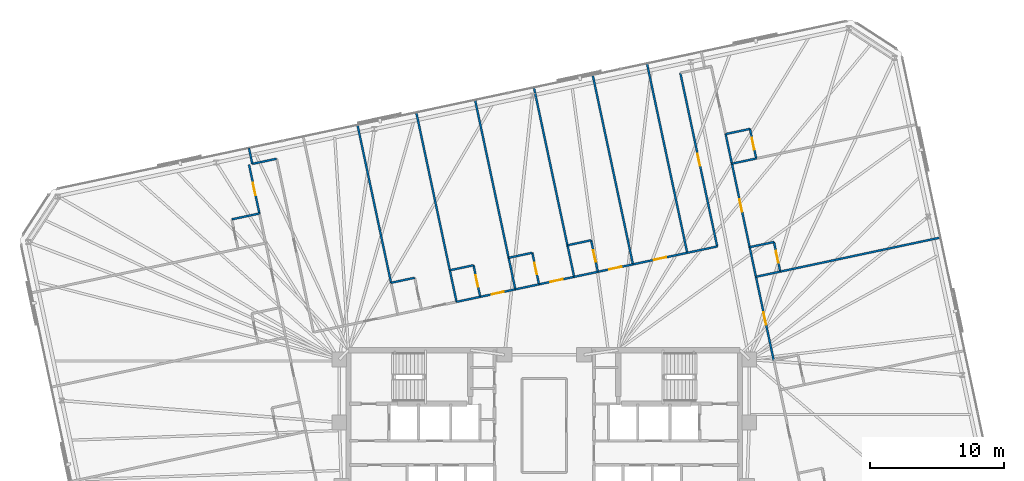
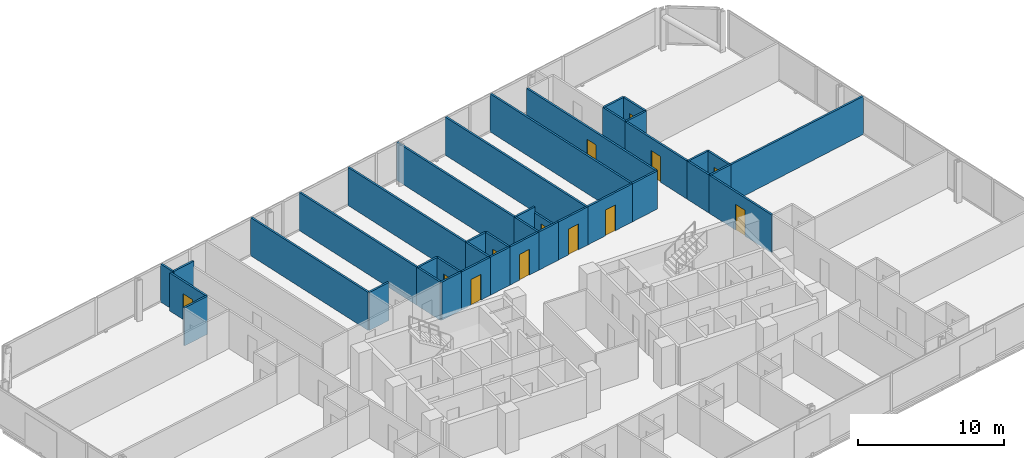
# One storey, part 18 of 21: 40 walls, 13 doors, 13 openings.
"""IFC4 building model written with IfcOpenShell, lengths in metres."""

from ifc_helpers import new_model, si_unit, direction, frame, frame_2d, origin, place, context, subcontext, project, spatial, rectangle, extrude, material, layer, layer_set, type_object, element, fill, save


model = new_model("IFC4")

# Units and contexts
model_context = context("Model", 3, precision=1e-05, world=origin(), true_north=direction((0.0, 1.0)))
body_context = subcontext(model_context, "Body", "Model", "MODEL_VIEW")
ifc_project = project(units=[si_unit("LENGTHUNIT", "METRE"), si_unit("AREAUNIT", "SQUARE_METRE"), si_unit("VOLUMEUNIT", "CUBIC_METRE"), si_unit("PLANEANGLEUNIT", "RADIAN"), si_unit("MASSUNIT", "GRAM", prefix="KILO")], contexts=[model_context])

# Site, building, storey
site_placement = place(None, origin())
site = spatial("IfcSite", under=ifc_project, at=site_placement, CompositionType="ELEMENT")
building_placement = place(site_placement, origin())
building = spatial("IfcBuilding", under=site, at=building_placement, Name="Menara Jurai Vektor", CompositionType="ELEMENT")
storey_placement = place(building_placement, frame((0.0, 0.0, 165.0)))
storey = spatial("IfcBuildingStorey", under=building, at=storey_placement, Name="L42", CompositionType="ELEMENT", Elevation=165.0)

# Wall
ifc_material_1 = material(Name="Gypsum Fireboard Partition", Category="gypsum")
ifc_layer_1 = layer(ifc_material_1, 0.14990234375)
ifc_layer_set_1 = layer_set([ifc_layer_1], Name="Gypsum Fireboard Partition")
wall_type_1 = type_object("IfcWallType", Name="INT-WALL-CORR-150", PredefinedType="PARTITIONING", material=ifc_layer_set_1)
wall_1_placement = place(storey_placement, frame((-21.71533203125, 19.447998046875, 0.0), z_axis=(0.0, 0.0, 1.0), x_axis=(0.978160192495, 0.207852442415, 0.0)))
element("IfcWall", 1, at=wall_1_placement, inside=storey, type_object=wall_type_1, Name="Interior Wall IW-150 L42", PredefinedType="PARTITIONING", context=body_context, shape_type="SweptSolid", body=[
    extrude(rectangle(XDim=1.849853515625, YDim=0.14990234375, at=frame_2d((0.9248046875, 0.0))), origin(), (0.0, 0.0, 1.0), 3.175048828125),
])

# Wall, opening, door
wall_2_placement = place(storey_placement, frame((-4.763427734375, 9.561279296875, 0.0), z_axis=(0.0, 0.0, 1.0), x_axis=(0.978139565144, 0.207949491702, 0.0)))
wall_2 = element("IfcWall", 2, at=wall_2_placement, inside=storey, type_object=wall_type_1, Name="Interior Wall IW-150 L42", PredefinedType="PARTITIONING", context=body_context, shape_type="SweptSolid", body=[
    extrude(rectangle(XDim=2.6708984375, YDim=0.14990234375, at=frame_2d((1.33544921875, 0.0))), origin(), (0.0, 0.0, 1.0), 3.175048828125),
])
opening_1_placement = place(wall_2_placement, frame((0.87548828125, 0.0, 0.0)))
opening_1 = element("IfcOpeningElement", 3, at=opening_1_placement, cuts=wall_2, Name="Opening D42-13", PredefinedType="OPENING", context=body_context, shape_type="SweptSolid", body=[
    extrude(rectangle(XDim=0.919921875, YDim=2.14990234375, at=frame_2d((0.4599609375, 1.074951171875))), frame((0.0, 0.0849609375, 0.0), z_axis=(0.0, -1.0, 0.0), x_axis=(1.0, 0.0, 0.0)), (0.0, 0.0, 1.0), 0.169921875),
])
ifc_material_2 = material(Name="Solid Core Timber Fire Door", Category="wood")
door_type_1 = type_object("IfcDoorType", Name="DR-ENTRY-950", OperationType="NOTDEFINED", PredefinedType="DOOR", material=ifc_material_2)
door_1_placement = place(opening_1_placement, origin())
door_1 = element("IfcDoor", 4, at=door_1_placement, inside=storey, type_object=door_type_1, Name="Interior Door D42-13", OperationType="SINGLE_SWING_RIGHT", OverallHeight=2.14990234375, OverallWidth=0.919921875, PredefinedType="DOOR", context=body_context, shape_type="SweptSolid", body=[
    extrude(rectangle(XDim=0.919921875, YDim=2.14990234375, at=frame_2d((0.4599609375, 1.074951171875))), frame((0.0, 0.02490234375, 0.0), z_axis=(0.0, -1.0, 0.0), x_axis=(1.0, 0.0, 0.0)), (0.0, 0.0, 1.0), 0.050048828125),
])
fill(opening_1, door_1)

# Wall
wall_3_placement = place(storey_placement, frame((-6.524169921875, 9.18701171875, 0.0), z_axis=(0.0, 0.0, 1.0), x_axis=(0.978146440129, 0.207917150959, 0.0)))
element("IfcWall", 5, at=wall_3_placement, inside=storey, type_object=wall_type_1, Name="Interior Wall IW-150 L42", PredefinedType="PARTITIONING", context=body_context, shape_type="SweptSolid", body=[
    extrude(rectangle(XDim=1.800048828125, YDim=0.14990234375, at=frame_2d((0.89990234375, 0.0))), origin(), (0.0, 0.0, 1.0), 3.175048828125),
])

# Wall, opening, door
wall_4_placement = place(storey_placement, frame((-0.39013671875, 10.490966796875, 0.0), z_axis=(0.0, 0.0, 1.0), x_axis=(0.978155367406, 0.207875148141, 0.0)))
wall_4 = element("IfcWall", 6, at=wall_4_placement, inside=storey, type_object=wall_type_1, Name="Interior Wall IW-150 L42", PredefinedType="PARTITIONING", context=body_context, shape_type="SweptSolid", body=[
    extrude(rectangle(XDim=2.671875, YDim=0.14990234375, at=frame_2d((1.3359375, 0.0))), origin(), (0.0, 0.0, 1.0), 3.175048828125),
])
opening_2_placement = place(wall_4_placement, frame((0.8759765625, 0.0, 0.0)))
opening_2 = element("IfcOpeningElement", 7, at=opening_2_placement, cuts=wall_4, Name="Opening D42-15", PredefinedType="OPENING", context=body_context, shape_type="SweptSolid", body=[
    extrude(rectangle(XDim=0.919921875, YDim=2.14990234375, at=frame_2d((0.4599609375, 1.074951171875))), frame((0.0, 0.0849609375, 0.0), z_axis=(0.0, -1.0, 0.0), x_axis=(1.0, 0.0, 0.0)), (0.0, 0.0, 1.0), 0.169921875),
])
door_2_placement = place(opening_2_placement, origin())
door_2 = element("IfcDoor", 8, at=door_2_placement, inside=storey, type_object=door_type_1, Name="Interior Door D42-15", OperationType="SINGLE_SWING_RIGHT", OverallHeight=2.14990234375, OverallWidth=0.919921875, PredefinedType="DOOR", context=body_context, shape_type="SweptSolid", body=[
    extrude(rectangle(XDim=0.919921875, YDim=2.14990234375, at=frame_2d((0.4599609375, 1.074951171875))), frame((0.0, 0.02490234375, 0.0), z_axis=(0.0, -1.0, 0.0), x_axis=(1.0, 0.0, 0.0)), (0.0, 0.0, 1.0), 0.050048828125),
])
fill(opening_2, door_2)

# Wall
wall_5_placement = place(storey_placement, frame((-2.15087890625, 10.11669921875, 0.0), z_axis=(0.0, 0.0, 1.0), x_axis=(0.978146440129, 0.207917150959, 0.0)))
element("IfcWall", 9, at=wall_5_placement, inside=storey, type_object=wall_type_1, Name="Interior Wall IW-150 L42", PredefinedType="PARTITIONING", context=body_context, shape_type="SweptSolid", body=[
    extrude(rectangle(XDim=1.800048828125, YDim=0.14990234375, at=frame_2d((0.89990234375, 0.0))), origin(), (0.0, 0.0, 1.0), 3.175048828125),
])

# Wall, opening, door
wall_6_placement = place(storey_placement, frame((3.984130859375, 11.420654296875, 0.0), z_axis=(0.0, 0.0, 1.0), x_axis=(0.978139565144, 0.207949491702, 0.0)))
wall_6 = element("IfcWall", 10, at=wall_6_placement, inside=storey, type_object=wall_type_1, Name="Interior Wall IW-150 L42", PredefinedType="PARTITIONING", context=body_context, shape_type="SweptSolid", body=[
    extrude(rectangle(XDim=2.6708984375, YDim=0.14990234375, at=frame_2d((1.33544921875, 0.0))), origin(), (0.0, 0.0, 1.0), 3.175048828125),
])
opening_3_placement = place(wall_6_placement, frame((0.87548828125, 0.0, 0.0)))
opening_3 = element("IfcOpeningElement", 11, at=opening_3_placement, cuts=wall_6, Name="Opening D42-17", PredefinedType="OPENING", context=body_context, shape_type="SweptSolid", body=[
    extrude(rectangle(XDim=0.919921875, YDim=2.14990234375, at=frame_2d((0.4599609375, 1.074951171875))), frame((0.0, 0.0849609375, 0.0), z_axis=(0.0, -1.0, 0.0), x_axis=(1.0, 0.0, 0.0)), (0.0, 0.0, 1.0), 0.169921875),
])
door_3_placement = place(opening_3_placement, origin())
door_3 = element("IfcDoor", 12, at=door_3_placement, inside=storey, type_object=door_type_1, Name="Interior Door D42-17", OperationType="SINGLE_SWING_RIGHT", OverallHeight=2.14990234375, OverallWidth=0.919921875, PredefinedType="DOOR", context=body_context, shape_type="SweptSolid", body=[
    extrude(rectangle(XDim=0.919921875, YDim=2.14990234375, at=frame_2d((0.4599609375, 1.074951171875))), frame((0.0, 0.02490234375, 0.0), z_axis=(0.0, -1.0, 0.0), x_axis=(1.0, 0.0, 0.0)), (0.0, 0.0, 1.0), 0.050048828125),
])
fill(opening_3, door_3)

# Wall
wall_7_placement = place(storey_placement, frame((2.223388671875, 11.04638671875, 0.0), z_axis=(0.0, 0.0, 1.0), x_axis=(0.978146440129, 0.207917150959, 0.0)))
element("IfcWall", 13, at=wall_7_placement, inside=storey, type_object=wall_type_1, Name="Interior Wall IW-150 L42", PredefinedType="PARTITIONING", context=body_context, shape_type="SweptSolid", body=[
    extrude(rectangle(XDim=1.800048828125, YDim=0.14990234375, at=frame_2d((0.89990234375, 0.0))), origin(), (0.0, 0.0, 1.0), 3.175048828125),
])

# Wall, opening, door
wall_8_placement = place(storey_placement, frame((6.5966796875, 11.97607421875, 0.0), z_axis=(0.0, 0.0, 1.0), x_axis=(0.978155092113, 0.207876443525, 0.0)))
wall_8 = element("IfcWall", 14, at=wall_8_placement, inside=storey, type_object=wall_type_1, Name="Interior Wall IW-150 L42", PredefinedType="PARTITIONING", context=body_context, shape_type="SweptSolid", body=[
    extrude(rectangle(XDim=4.126953125, YDim=0.14990234375, at=frame_2d((2.0634765625, 0.0))), origin(), (0.0, 0.0, 1.0), 3.175048828125),
])
opening_4_placement = place(wall_8_placement, frame((1.603515625, 0.0, 0.0)))
opening_4 = element("IfcOpeningElement", 15, at=opening_4_placement, cuts=wall_8, Name="Opening D42-19", PredefinedType="OPENING", context=body_context, shape_type="SweptSolid", body=[
    extrude(rectangle(XDim=0.919921875, YDim=2.14990234375, at=frame_2d((0.4599609375, 1.074951171875))), frame((0.0, 0.0849609375, 0.0), z_axis=(0.0, -1.0, 0.0), x_axis=(1.0, 0.0, 0.0)), (0.0, 0.0, 1.0), 0.169921875),
])
door_4_placement = place(opening_4_placement, origin())
door_4 = element("IfcDoor", 16, at=door_4_placement, inside=storey, type_object=door_type_1, Name="Interior Door D42-19", OperationType="SINGLE_SWING_RIGHT", OverallHeight=2.14990234375, OverallWidth=0.919921875, PredefinedType="DOOR", context=body_context, shape_type="SweptSolid", body=[
    extrude(rectangle(XDim=0.919921875, YDim=2.14990234375, at=frame_2d((0.4599609375, 1.074951171875))), frame((0.0, 0.02490234375, 0.0), z_axis=(0.0, -1.0, 0.0), x_axis=(1.0, 0.0, 0.0)), (0.0, 0.0, 1.0), 0.050048828125),
])
fill(opening_4, door_4)

# Wall
wall_9_placement = place(storey_placement, frame((10.633544921875, 12.833984375, 0.0), z_axis=(0.0, 0.0, 1.0), x_axis=(0.978147682212, 0.207911307493, 0.0)))
element("IfcWall", 17, at=wall_9_placement, inside=storey, type_object=wall_type_1, Name="Interior Wall IW-150 L42", PredefinedType="PARTITIONING", context=body_context, shape_type="SweptSolid", body=[
    extrude(rectangle(XDim=2.278076171875, YDim=0.14990234375, at=frame_2d((1.13916015625, 0.0))), origin(), (0.0, 0.0, 1.0), 3.175048828125),
])

# Wall, opening, door
wall_10_placement = place(storey_placement, frame((12.86181640625, 13.3076171875, 0.0), z_axis=(0.0, 0.0, 1.0), x_axis=(-0.207911421929, 0.978147657888, 0.0)))
wall_10 = element("IfcWall", 18, at=wall_10_placement, inside=storey, type_object=wall_type_1, Name="Interior Wall IW-150 L42", PredefinedType="PARTITIONING", context=body_context, shape_type="SweptSolid", body=[
    extrude(rectangle(XDim=13.195068359375, YDim=0.14990234375, at=frame_2d((6.59765625, 0.0))), origin(), (0.0, 0.0, 1.0), 3.175048828125),
])
opening_5_placement = place(wall_10_placement, frame((6.137451171875, 0.0, 0.0)))
opening_5 = element("IfcOpeningElement", 19, at=opening_5_placement, cuts=wall_10, Name="Opening D42-20", PredefinedType="OPENING", context=body_context, shape_type="SweptSolid", body=[
    extrude(rectangle(XDim=0.919921875, YDim=2.14990234375, at=frame_2d((0.4599609375, 1.074951171875))), frame((0.0, 0.0849609375, 0.0), z_axis=(0.0, -1.0, 0.0), x_axis=(1.0, 0.0, 0.0)), (0.0, 0.0, 1.0), 0.169921875),
])
door_5_placement = place(opening_5_placement, origin())
door_5 = element("IfcDoor", 20, at=door_5_placement, inside=storey, type_object=door_type_1, Name="Interior Door D42-20", OperationType="SINGLE_SWING_LEFT", OverallHeight=2.14990234375, OverallWidth=0.919921875, PredefinedType="DOOR", context=body_context, shape_type="SweptSolid", body=[
    extrude(rectangle(XDim=0.919921875, YDim=2.14990234375, at=frame_2d((0.4599609375, 1.074951171875))), frame((0.0, 0.02490234375, 0.0), z_axis=(0.0, -1.0, 0.0), x_axis=(1.0, 0.0, 0.0)), (0.0, 0.0, 1.0), 0.050048828125),
])
fill(opening_5, door_5)

wall_11_placement = place(storey_placement, frame((-21.18701171875, 15.76025390625, 0.0), z_axis=(0.0, 0.0, 1.0), x_axis=(-0.207949879289, 0.978139482745, 0.0)))
wall_11 = element("IfcWall", 21, at=wall_11_placement, inside=storey, type_object=wall_type_1, Name="Interior Wall IW-150 L42", PredefinedType="PARTITIONING", context=body_context, shape_type="SweptSolid", body=[
    extrude(rectangle(XDim=3.717041015625, YDim=0.14990234375, at=frame_2d((1.8583984375, 0.0))), origin(), (0.0, 0.0, 1.0), 3.175048828125),
])
opening_6_placement = place(wall_11_placement, frame((1.383544921875, 0.0, 0.0)))
opening_6 = element("IfcOpeningElement", 22, at=opening_6_placement, cuts=wall_11, Name="Opening D42-42", PredefinedType="OPENING", context=body_context, shape_type="SweptSolid", body=[
    extrude(rectangle(XDim=0.949951171875, YDim=2.14990234375, at=frame_2d((0.47509765625, 1.074951171875))), frame((0.0, 0.0849609375, 0.0), z_axis=(0.0, -1.0, 0.0), x_axis=(1.0, 0.0, 0.0)), (0.0, 0.0, 1.0), 0.169921875),
])
door_6_placement = place(opening_6_placement, origin())
door_6 = element("IfcDoor", 23, at=door_6_placement, inside=storey, type_object=door_type_1, Name="Interior Door D42-42", OperationType="SINGLE_SWING_LEFT", OverallHeight=2.14990234375, OverallWidth=0.949951171875, PredefinedType="DOOR", context=body_context, shape_type="SweptSolid", body=[
    extrude(rectangle(XDim=0.949951171875, YDim=2.14990234375, at=frame_2d((0.47509765625, 1.074951171875))), frame((0.0, 0.02490234375, 0.0), z_axis=(0.0, -1.0, 0.0), x_axis=(1.0, 0.0, 0.0)), (0.0, 0.0, 1.0), 0.050048828125),
])
fill(opening_6, door_6)

wall_12_placement = place(storey_placement, frame((17.06396484375, 4.84130859375, 0.0), z_axis=(0.0, 0.0, 1.0), x_axis=(-0.207924511115, 0.978144875608, 0.0)))
wall_12 = element("IfcWall", 24, at=wall_12_placement, inside=storey, type_object=wall_type_1, Name="Interior Wall IW-150 L42", PredefinedType="PARTITIONING", context=body_context, shape_type="SweptSolid", body=[
    extrude(rectangle(XDim=6.349853515625, YDim=0.14990234375, at=frame_2d((3.1748046875, 0.0))), origin(), (0.0, 0.0, 1.0), 3.175048828125),
])
opening_7_placement = place(wall_12_placement, frame((2.699951171875, 0.0, 0.0)))
opening_7 = element("IfcOpeningElement", 25, at=opening_7_placement, cuts=wall_12, Name="Opening D42-48", PredefinedType="OPENING", context=body_context, shape_type="SweptSolid", body=[
    extrude(rectangle(XDim=0.949951171875, YDim=2.14990234375, at=frame_2d((0.47509765625, 1.074951171875))), frame((0.0, 0.0849609375, 0.0), z_axis=(0.0, -1.0, 0.0), x_axis=(1.0, 0.0, 0.0)), (0.0, 0.0, 1.0), 0.169921875),
])
door_7_placement = place(opening_7_placement, origin())
door_7 = element("IfcDoor", 26, at=door_7_placement, inside=storey, type_object=door_type_1, Name="Interior Door D42-48", OperationType="SINGLE_SWING_LEFT", OverallHeight=2.14990234375, OverallWidth=0.949951171875, PredefinedType="DOOR", context=body_context, shape_type="SweptSolid", body=[
    extrude(rectangle(XDim=0.949951171875, YDim=2.14990234375, at=frame_2d((0.47509765625, 1.074951171875))), frame((0.0, 0.02490234375, 0.0), z_axis=(0.0, -1.0, 0.0), x_axis=(1.0, 0.0, 0.0)), (0.0, 0.0, 1.0), 0.050048828125),
])
fill(opening_7, door_7)

wall_13_placement = place(storey_placement, frame((15.27587890625, 13.25341796875, 0.0), z_axis=(0.0, 0.0, 1.0), x_axis=(-0.207924511115, 0.978144875608, 0.0)))
wall_13 = element("IfcWall", 27, at=wall_13_placement, inside=storey, type_object=wall_type_1, Name="Interior Wall IW-150 L42", PredefinedType="PARTITIONING", context=body_context, shape_type="SweptSolid", body=[
    extrude(rectangle(XDim=6.349853515625, YDim=0.14990234375, at=frame_2d((3.1748046875, 0.0))), origin(), (0.0, 0.0, 1.0), 3.175048828125),
])
opening_8_placement = place(wall_13_placement, frame((2.699951171875, 0.0, 0.0)))
opening_8 = element("IfcOpeningElement", 28, at=opening_8_placement, cuts=wall_13, Name="Opening D42-50", PredefinedType="OPENING", context=body_context, shape_type="SweptSolid", body=[
    extrude(rectangle(XDim=0.949951171875, YDim=2.14990234375, at=frame_2d((0.47509765625, 1.074951171875))), frame((0.0, 0.0849609375, 0.0), z_axis=(0.0, -1.0, 0.0), x_axis=(1.0, 0.0, 0.0)), (0.0, 0.0, 1.0), 0.169921875),
])
door_8_placement = place(opening_8_placement, origin())
door_8 = element("IfcDoor", 29, at=door_8_placement, inside=storey, type_object=door_type_1, Name="Interior Door D42-50", OperationType="SINGLE_SWING_LEFT", OverallHeight=2.14990234375, OverallWidth=0.949951171875, PredefinedType="DOOR", context=body_context, shape_type="SweptSolid", body=[
    extrude(rectangle(XDim=0.949951171875, YDim=2.14990234375, at=frame_2d((0.47509765625, 1.074951171875))), frame((0.0, 0.02490234375, 0.0), z_axis=(0.0, -1.0, 0.0), x_axis=(1.0, 0.0, 0.0)), (0.0, 0.0, 1.0), 0.050048828125),
])
fill(opening_8, door_8)

# Walls
for number, where, z_axis, x_axis, name in (
    (30, (15.74365234375, 11.052490234375, 0.0), (0.0, 0.0, 1.0), (-0.207891197838, 0.978151956427, 0.0), "Interior Wall IW-150 L42"),
    (31, (13.95556640625, 19.464599609375, 0.0), (0.0, 0.0, 1.0), (-0.207891197838, 0.978151956427, 0.0), "Interior Wall IW-150 L42"),
):
    element("IfcWall", number, at=place(storey_placement, frame(where, z_axis=z_axis, x_axis=x_axis)), inside=storey, type_object=wall_type_1, Name=name, PredefinedType="PARTITIONING", context=body_context, shape_type="SweptSolid", body=[
        extrude(rectangle(XDim=2.25, YDim=0.14990234375, at=frame_2d((1.125, 0.0))), origin(), (0.0, 0.0, 1.0), 3.175048828125),
    ])
wall_14_placement = place(storey_placement, frame((-21.71533203125, 19.447998046875, 0.0), z_axis=(0.0, 0.0, 1.0), x_axis=(-0.20795853359, 0.978137642823, 0.0)))
element("IfcWall", 32, at=wall_14_placement, inside=storey, type_object=wall_type_1, Name="Interior Wall IW-150 L42", PredefinedType="PARTITIONING", context=body_context, shape_type="SweptSolid", body=[
    extrude(rectangle(XDim=1.19970703125, YDim=0.14990234375, at=frame_2d((0.599853515625, 0.0))), origin(), (0.0, 0.0, 1.0), 3.175048828125),
])
wall_15_placement = place(storey_placement, frame((-11.396484375, 10.60498046875, 0.0), z_axis=(0.0, 0.0, 1.0), x_axis=(-0.207910848762, 0.978147779718, 0.0)))
element("IfcWall", 33, at=wall_15_placement, inside=storey, type_object=wall_type_1, Name="Interior Wall IW-150 L42", PredefinedType="PARTITIONING", context=body_context, shape_type="SweptSolid", body=[
    extrude(rectangle(XDim=11.9951171875, YDim=0.14990234375, at=frame_2d((5.99755859375, 0.0))), origin(), (0.0, 0.0, 1.0), 3.175048828125),
])
wall_16_placement = place(storey_placement, frame((-11.396484375, 10.60498046875, 0.0), z_axis=(0.0, 0.0, 1.0), x_axis=(0.978118849246, 0.208046909975, 0.0)))
element("IfcWall", 34, at=wall_16_placement, inside=storey, type_object=wall_type_1, Name="Interior Wall IW-150 L42", PredefinedType="PARTITIONING", context=body_context, shape_type="SweptSolid", body=[
    extrude(rectangle(XDim=1.800048828125, YDim=0.14990234375, at=frame_2d((0.89990234375, 0.0))), origin(), (0.0, 0.0, 1.0), 3.175048828125),
])
wall_17_placement = place(storey_placement, frame((-7.023193359375, 11.53466796875, 0.0), z_axis=(0.0, 0.0, 1.0), x_axis=(-0.207910848762, 0.978147779718, 0.0)))
element("IfcWall", 35, at=wall_17_placement, inside=storey, type_object=wall_type_1, Name="Interior Wall IW-150 L42", PredefinedType="PARTITIONING", context=body_context, shape_type="SweptSolid", body=[
    extrude(rectangle(XDim=11.9951171875, YDim=0.14990234375, at=frame_2d((5.99755859375, 0.0))), origin(), (0.0, 0.0, 1.0), 3.175048828125),
])
wall_18_placement = place(storey_placement, frame((-6.524169921875, 9.18701171875, 0.0), z_axis=(0.0, 0.0, 1.0), x_axis=(-0.207917150959, 0.978146440129, 0.0)))
element("IfcWall", 36, at=wall_18_placement, inside=storey, type_object=wall_type_1, Name="Interior Wall IW-150 L42", PredefinedType="PARTITIONING", context=body_context, shape_type="SweptSolid", body=[
    extrude(rectangle(XDim=2.400146484375, YDim=0.14990234375, at=frame_2d((1.2001953125, 0.0))), origin(), (0.0, 0.0, 1.0), 3.175048828125),
])
wall_19_placement = place(storey_placement, frame((-7.023193359375, 11.53466796875, 0.0), z_axis=(0.0, 0.0, 1.0), x_axis=(0.978146440129, 0.207917150959, 0.0)))
element("IfcWall", 37, at=wall_19_placement, inside=storey, type_object=wall_type_1, Name="Interior Wall IW-150 L42", PredefinedType="PARTITIONING", context=body_context, shape_type="SweptSolid", body=[
    extrude(rectangle(XDim=1.800048828125, YDim=0.14990234375, at=frame_2d((0.89990234375, 0.0))), origin(), (0.0, 0.0, 1.0), 3.175048828125),
])

# Wall, opening, door
wall_20_placement = place(storey_placement, frame((-4.763427734375, 9.561279296875, 0.0), z_axis=(0.0, 0.0, 1.0), x_axis=(-0.207917150959, 0.978146440129, 0.0)))
wall_20 = element("IfcWall", 38, at=wall_20_placement, inside=storey, type_object=wall_type_1, Name="Interior Wall IW-150 L42", PredefinedType="PARTITIONING", context=body_context, shape_type="SweptSolid", body=[
    extrude(rectangle(XDim=2.400146484375, YDim=0.14990234375, at=frame_2d((1.2001953125, 0.0))), origin(), (0.0, 0.0, 1.0), 3.175048828125),
])
opening_9_placement = place(wall_20_placement, frame((0.760009765625, 0.0, 0.0)))
opening_9 = element("IfcOpeningElement", 39, at=opening_9_placement, cuts=wall_20, Name="Opening D42-14", PredefinedType="OPENING", context=body_context, shape_type="SweptSolid", body=[
    extrude(rectangle(XDim=0.8798828125, YDim=2.14990234375, at=frame_2d((0.43994140625, 1.074951171875))), frame((0.0, 0.0849609375, 0.0), z_axis=(0.0, -1.0, 0.0), x_axis=(1.0, 0.0, 0.0)), (0.0, 0.0, 1.0), 0.169921875),
])
ifc_material_3 = material(Name="Moisture-Resistant Timber Door", Category="wood")
door_type_2 = type_object("IfcDoorType", Name="DR-BATH-880", OperationType="NOTDEFINED", PredefinedType="DOOR", material=ifc_material_3)
door_9_placement = place(opening_9_placement, origin())
door_9 = element("IfcDoor", 40, at=door_9_placement, inside=storey, type_object=door_type_2, Name="Interior Door D42-14", OperationType="SINGLE_SWING_LEFT", OverallHeight=2.14990234375, OverallWidth=0.8798828125, PredefinedType="DOOR", context=body_context, shape_type="SweptSolid", body=[
    extrude(rectangle(XDim=0.8798828125, YDim=2.14990234375, at=frame_2d((0.43994140625, 1.074951171875))), frame((0.0, 0.02490234375, 0.0), z_axis=(0.0, -1.0, 0.0), x_axis=(1.0, 0.0, 0.0)), (0.0, 0.0, 1.0), 0.050048828125),
])
fill(opening_9, door_9)

# Walls
wall_21_placement = place(storey_placement, frame((-2.64990234375, 12.46435546875, 0.0), z_axis=(0.0, 0.0, 1.0), x_axis=(-0.207914988081, 0.978146899873, 0.0)))
element("IfcWall", 41, at=wall_21_placement, inside=storey, type_object=wall_type_1, Name="Interior Wall IW-150 L42", PredefinedType="PARTITIONING", context=body_context, shape_type="SweptSolid", body=[
    extrude(rectangle(XDim=11.994873046875, YDim=0.14990234375, at=frame_2d((5.99755859375, 0.0))), origin(), (0.0, 0.0, 1.0), 3.175048828125),
])
wall_22_placement = place(storey_placement, frame((-2.15087890625, 10.11669921875, 0.0), z_axis=(0.0, 0.0, 1.0), x_axis=(-0.207917150959, 0.978146440129, 0.0)))
element("IfcWall", 42, at=wall_22_placement, inside=storey, type_object=wall_type_1, Name="Interior Wall IW-150 L42", PredefinedType="PARTITIONING", context=body_context, shape_type="SweptSolid", body=[
    extrude(rectangle(XDim=2.400146484375, YDim=0.14990234375, at=frame_2d((1.2001953125, 0.0))), origin(), (0.0, 0.0, 1.0), 3.175048828125),
])
wall_23_placement = place(storey_placement, frame((-2.64990234375, 12.46435546875, 0.0), z_axis=(0.0, 0.0, 1.0), x_axis=(0.978174015353, 0.207787380965, 0.0)))
element("IfcWall", 43, at=wall_23_placement, inside=storey, type_object=wall_type_1, Name="Interior Wall IW-150 L42", PredefinedType="PARTITIONING", context=body_context, shape_type="SweptSolid", body=[
    extrude(rectangle(XDim=1.800048828125, YDim=0.14990234375, at=frame_2d((0.89990234375, 0.0))), origin(), (0.0, 0.0, 1.0), 3.175048828125),
])

# Wall, opening, door
wall_24_placement = place(storey_placement, frame((-0.39013671875, 10.490966796875, 0.0), z_axis=(0.0, 0.0, 1.0), x_axis=(-0.207937840262, 0.978142042133, 0.0)))
wall_24 = element("IfcWall", 44, at=wall_24_placement, inside=storey, type_object=wall_type_1, Name="Interior Wall IW-150 L42", PredefinedType="PARTITIONING", context=body_context, shape_type="SweptSolid", body=[
    extrude(rectangle(XDim=2.39990234375, YDim=0.14990234375, at=frame_2d((1.199951171875, 0.0))), origin(), (0.0, 0.0, 1.0), 3.175048828125),
])
opening_10_placement = place(wall_24_placement, frame((0.760009765625, 0.0, 0.0)))
opening_10 = element("IfcOpeningElement", 45, at=opening_10_placement, cuts=wall_24, Name="Opening D42-16", PredefinedType="OPENING", context=body_context, shape_type="SweptSolid", body=[
    extrude(rectangle(XDim=0.8798828125, YDim=2.14990234375, at=frame_2d((0.43994140625, 1.074951171875))), frame((0.0, 0.0849609375, 0.0), z_axis=(0.0, -1.0, 0.0), x_axis=(1.0, 0.0, 0.0)), (0.0, 0.0, 1.0), 0.169921875),
])
door_10_placement = place(opening_10_placement, origin())
door_10 = element("IfcDoor", 46, at=door_10_placement, inside=storey, type_object=door_type_2, Name="Interior Door D42-16", OperationType="SINGLE_SWING_LEFT", OverallHeight=2.14990234375, OverallWidth=0.8798828125, PredefinedType="DOOR", context=body_context, shape_type="SweptSolid", body=[
    extrude(rectangle(XDim=0.8798828125, YDim=2.14990234375, at=frame_2d((0.43994140625, 1.074951171875))), frame((0.0, 0.02490234375, 0.0), z_axis=(0.0, -1.0, 0.0), x_axis=(1.0, 0.0, 0.0)), (0.0, 0.0, 1.0), 0.050048828125),
])
fill(opening_10, door_10)

# Walls
wall_25_placement = place(storey_placement, frame((1.724609375, 13.39404296875, 0.0), z_axis=(0.0, 0.0, 1.0), x_axis=(-0.207910848762, 0.978147779718, 0.0)))
element("IfcWall", 47, at=wall_25_placement, inside=storey, type_object=wall_type_1, Name="Interior Wall IW-150 L42", PredefinedType="PARTITIONING", context=body_context, shape_type="SweptSolid", body=[
    extrude(rectangle(XDim=11.9951171875, YDim=0.14990234375, at=frame_2d((5.99755859375, 0.0))), origin(), (0.0, 0.0, 1.0), 3.175048828125),
])
wall_26_placement = place(storey_placement, frame((2.223388671875, 11.04638671875, 0.0), z_axis=(0.0, 0.0, 1.0), x_axis=(-0.207819824493, 0.978167123015, 0.0)))
element("IfcWall", 48, at=wall_26_placement, inside=storey, type_object=wall_type_1, Name="Interior Wall IW-150 L42", PredefinedType="PARTITIONING", context=body_context, shape_type="SweptSolid", body=[
    extrude(rectangle(XDim=2.400146484375, YDim=0.14990234375, at=frame_2d((1.2001953125, 0.0))), origin(), (0.0, 0.0, 1.0), 3.175048828125),
])
wall_27_placement = place(storey_placement, frame((1.724609375, 13.39404296875, 0.0), z_axis=(0.0, 0.0, 1.0), x_axis=(0.978140575842, 0.207944737591, 0.0)))
element("IfcWall", 49, at=wall_27_placement, inside=storey, type_object=wall_type_1, Name="Interior Wall IW-150 L42", PredefinedType="PARTITIONING", context=body_context, shape_type="SweptSolid", body=[
    extrude(rectangle(XDim=1.7998046875, YDim=0.14990234375, at=frame_2d((0.89990234375, 0.0))), origin(), (0.0, 0.0, 1.0), 3.175048828125),
])
wall_28_placement = place(storey_placement, frame((6.5966796875, 11.97607421875, 0.0), z_axis=(0.0, 0.0, 1.0), x_axis=(-0.207899121568, 0.978150272326, 0.0)))
element("IfcWall", 50, at=wall_28_placement, inside=storey, type_object=wall_type_1, Name="Interior Wall IW-150 L42", PredefinedType="PARTITIONING", context=body_context, shape_type="SweptSolid", body=[
    extrude(rectangle(XDim=14.394775390625, YDim=0.14990234375, at=frame_2d((7.197265625, 0.0))), origin(), (0.0, 0.0, 1.0), 3.175048828125),
])
wall_29_placement = place(storey_placement, frame((10.633544921875, 12.833984375, 0.0), z_axis=(0.0, 0.0, 1.0), x_axis=(-0.207911899531, 0.97814755637, 0.0)))
element("IfcWall", 51, at=wall_29_placement, inside=storey, type_object=wall_type_1, Name="Interior Wall IW-150 L42", PredefinedType="PARTITIONING", context=body_context, shape_type="SweptSolid", body=[
    extrude(rectangle(XDim=14.39501953125, YDim=0.14990234375, at=frame_2d((7.197509765625, 0.0))), origin(), (0.0, 0.0, 1.0), 3.175048828125),
])
wall_30_placement = place(storey_placement, frame((-23.2412109375, 15.323486328125, 0.0), z_axis=(0.0, 0.0, 1.0), x_axis=(0.978134617382, 0.207972763311, 0.0)))
element("IfcWall", 52, at=wall_30_placement, inside=storey, type_object=wall_type_1, Name="Interior Wall IW-150 L42", PredefinedType="PARTITIONING", context=body_context, shape_type="SweptSolid", body=[
    extrude(rectangle(XDim=2.10009765625, YDim=0.14990234375, at=frame_2d((1.050048828125, 0.0))), origin(), (0.0, 0.0, 1.0), 3.175048828125),
])
wall_31_placement = place(storey_placement, frame((17.55322265625, 11.437255859375, 0.0), z_axis=(0.0, 0.0, 1.0), x_axis=(0.97814556055, 0.207921288896, 0.0)))
element("IfcWall", 53, at=wall_31_placement, inside=storey, type_object=wall_type_1, Name="Interior Wall IW-150 L42", PredefinedType="PARTITIONING", context=body_context, shape_type="SweptSolid", body=[
    extrude(rectangle(XDim=12.18701171875, YDim=0.14990234375, at=frame_2d((6.093505859375, 0.0))), origin(), (0.0, 0.0, 1.0), 3.175048828125),
])
for number, where, z_axis, x_axis, name in (
    (54, (15.74365234375, 11.052490234375, 0.0), (0.0, 0.0, 1.0), (0.978133353907, 0.20797870558, 0.0), "Interior Wall IW-150 L42"),
    (55, (15.27587890625, 13.25341796875, 0.0), (0.0, 0.0, 1.0), (0.978133353907, 0.20797870558, 0.0), "Interior Wall IW-150 L42"),
):
    element("IfcWall", number, at=place(storey_placement, frame(where, z_axis=z_axis, x_axis=x_axis)), inside=storey, type_object=wall_type_1, Name=name, PredefinedType="PARTITIONING", context=body_context, shape_type="SweptSolid", body=[
        extrude(rectangle(XDim=1.85009765625, YDim=0.14990234375, at=frame_2d((0.925048828125, 0.0))), origin(), (0.0, 0.0, 1.0), 3.175048828125),
    ])

# Wall, opening, door
wall_32_placement = place(storey_placement, frame((17.55322265625, 11.437255859375, 0.0), z_axis=(0.0, 0.0, 1.0), x_axis=(-0.207891197838, 0.978151956427, 0.0)))
wall_32 = element("IfcWall", 56, at=wall_32_placement, inside=storey, type_object=wall_type_1, Name="Interior Wall IW-150 L42", PredefinedType="PARTITIONING", context=body_context, shape_type="SweptSolid", body=[
    extrude(rectangle(XDim=2.25, YDim=0.14990234375, at=frame_2d((1.125, 0.0))), origin(), (0.0, 0.0, 1.0), 3.175048828125),
])
opening_11_placement = place(wall_32_placement, frame((0.68505859375, 0.0, 0.0)))
opening_11 = element("IfcOpeningElement", 57, at=opening_11_placement, cuts=wall_32, Name="Opening D42-51", PredefinedType="OPENING", context=body_context, shape_type="SweptSolid", body=[
    extrude(rectangle(XDim=0.8798828125, YDim=2.14990234375, at=frame_2d((0.43994140625, 1.074951171875))), frame((0.0, 0.0849609375, 0.0), z_axis=(0.0, -1.0, 0.0), x_axis=(1.0, 0.0, 0.0)), (0.0, 0.0, 1.0), 0.169921875),
])
door_11_placement = place(opening_11_placement, origin())
door_11 = element("IfcDoor", 58, at=door_11_placement, inside=storey, type_object=door_type_2, Name="Interior Door D42-51", OperationType="SINGLE_SWING_RIGHT", OverallHeight=2.14990234375, OverallWidth=0.8798828125, PredefinedType="DOOR", context=body_context, shape_type="SweptSolid", body=[
    extrude(rectangle(XDim=0.8798828125, YDim=2.14990234375, at=frame_2d((0.43994140625, 1.074951171875))), frame((0.0, 0.02490234375, 0.0), z_axis=(0.0, -1.0, 0.0), x_axis=(1.0, 0.0, 0.0)), (0.0, 0.0, 1.0), 0.050048828125),
])
fill(opening_11, door_11)

# Walls
for number, where, z_axis, x_axis, name in (
    (59, (13.95556640625, 19.464599609375, 0.0), (0.0, 0.0, 1.0), (0.978133353907, 0.20797870558, 0.0), "Interior Wall IW-150 L42"),
    (60, (13.48779296875, 21.66552734375, 0.0), (0.0, 0.0, 1.0), (0.978133353907, 0.20797870558, 0.0), "Interior Wall IW-150 L42"),
):
    element("IfcWall", number, at=place(storey_placement, frame(where, z_axis=z_axis, x_axis=x_axis)), inside=storey, type_object=wall_type_1, Name=name, PredefinedType="PARTITIONING", context=body_context, shape_type="SweptSolid", body=[
        extrude(rectangle(XDim=1.85009765625, YDim=0.14990234375, at=frame_2d((0.925048828125, 0.0))), origin(), (0.0, 0.0, 1.0), 3.175048828125),
    ])

# Wall, opening, door
wall_33_placement = place(storey_placement, frame((15.76513671875, 19.849365234375, 0.0), z_axis=(0.0, 0.0, 1.0), x_axis=(-0.207891197838, 0.978151956427, 0.0)))
wall_33 = element("IfcWall", 61, at=wall_33_placement, inside=storey, type_object=wall_type_1, Name="Interior Wall IW-150 L42", PredefinedType="PARTITIONING", context=body_context, shape_type="SweptSolid", body=[
    extrude(rectangle(XDim=2.25, YDim=0.14990234375, at=frame_2d((1.125, 0.0))), origin(), (0.0, 0.0, 1.0), 3.175048828125),
])
opening_12_placement = place(wall_33_placement, frame((0.68505859375, 0.0, 0.0)))
opening_12 = element("IfcOpeningElement", 62, at=opening_12_placement, cuts=wall_33, Name="Opening D42-53", PredefinedType="OPENING", context=body_context, shape_type="SweptSolid", body=[
    extrude(rectangle(XDim=0.8798828125, YDim=2.14990234375, at=frame_2d((0.43994140625, 1.074951171875))), frame((0.0, 0.0849609375, 0.0), z_axis=(0.0, -1.0, 0.0), x_axis=(1.0, 0.0, 0.0)), (0.0, 0.0, 1.0), 0.169921875),
])
door_12_placement = place(opening_12_placement, origin())
door_12 = element("IfcDoor", 63, at=door_12_placement, inside=storey, type_object=door_type_2, Name="Interior Door D42-53", OperationType="SINGLE_SWING_RIGHT", OverallHeight=2.14990234375, OverallWidth=0.8798828125, PredefinedType="DOOR", context=body_context, shape_type="SweptSolid", body=[
    extrude(rectangle(XDim=0.8798828125, YDim=2.14990234375, at=frame_2d((0.43994140625, 1.074951171875))), frame((0.0, 0.02490234375, 0.0), z_axis=(0.0, -1.0, 0.0), x_axis=(1.0, 0.0, 0.0)), (0.0, 0.0, 1.0), 0.050048828125),
])
fill(opening_12, door_12)

ifc_layer_2 = layer(ifc_material_1, 0.14990234375)
ifc_layer_set_2 = layer_set([ifc_layer_2], Name="Gypsum Fireboard Partition")
wall_type_2 = type_object("IfcWallType", Name="INT-WALL-CORR-150-H1", PredefinedType="PARTITIONING", material=ifc_layer_set_2)
wall_34_placement = place(storey_placement, frame((3.984130859375, 11.420654296875, 0.0), z_axis=(0.0, 0.0, 1.0), x_axis=(-0.207917150959, 0.978146440129, 0.0)))
wall_34 = element("IfcWall", 64, at=wall_34_placement, inside=storey, type_object=wall_type_2, Name="Interior Wall IW-150 L42", PredefinedType="PARTITIONING", context=body_context, shape_type="SweptSolid", body=[
    extrude(rectangle(XDim=2.400146484375, YDim=0.14990234375, at=frame_2d((1.2001953125, 0.0))), origin(), (0.0, 0.0, 1.0), 2.72509765625),
])
opening_13_placement = place(wall_34_placement, frame((0.760009765625, 0.0, 0.0)))
opening_13 = element("IfcOpeningElement", 65, at=opening_13_placement, cuts=wall_34, Name="Opening D42-18", PredefinedType="OPENING", context=body_context, shape_type="SweptSolid", body=[
    extrude(rectangle(XDim=0.8798828125, YDim=2.14990234375, at=frame_2d((0.43994140625, 1.074951171875))), frame((0.0, 0.0849609375, 0.0), z_axis=(0.0, -1.0, 0.0), x_axis=(1.0, 0.0, 0.0)), (0.0, 0.0, 1.0), 0.169921875),
])
door_13_placement = place(opening_13_placement, origin())
door_13 = element("IfcDoor", 66, at=door_13_placement, inside=storey, type_object=door_type_2, Name="Interior Door D42-18", OperationType="SINGLE_SWING_LEFT", OverallHeight=2.14990234375, OverallWidth=0.8798828125, PredefinedType="DOOR", context=body_context, shape_type="SweptSolid", body=[
    extrude(rectangle(XDim=0.8798828125, YDim=2.14990234375, at=frame_2d((0.43994140625, 1.074951171875))), frame((0.0, 0.02490234375, 0.0), z_axis=(0.0, -1.0, 0.0), x_axis=(1.0, 0.0, 0.0)), (0.0, 0.0, 1.0), 0.050048828125),
])
fill(opening_13, door_13)

save(model, "model.ifc")
